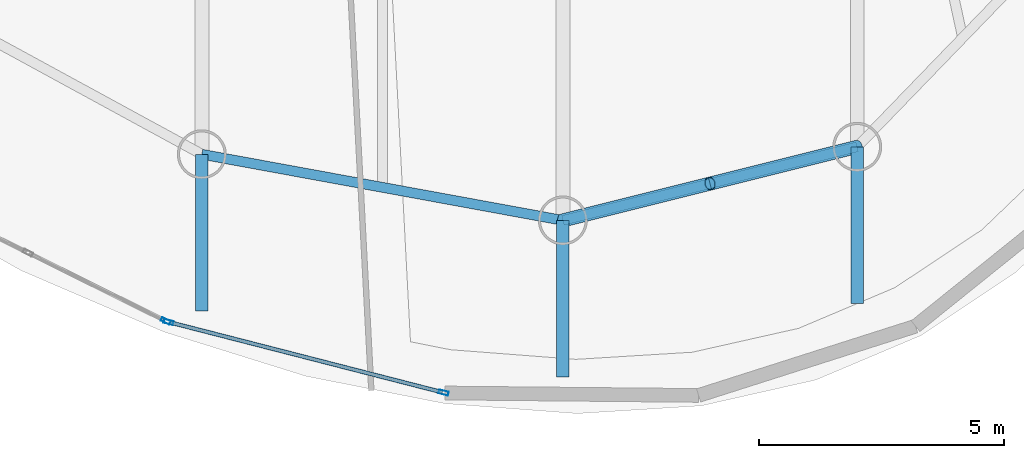
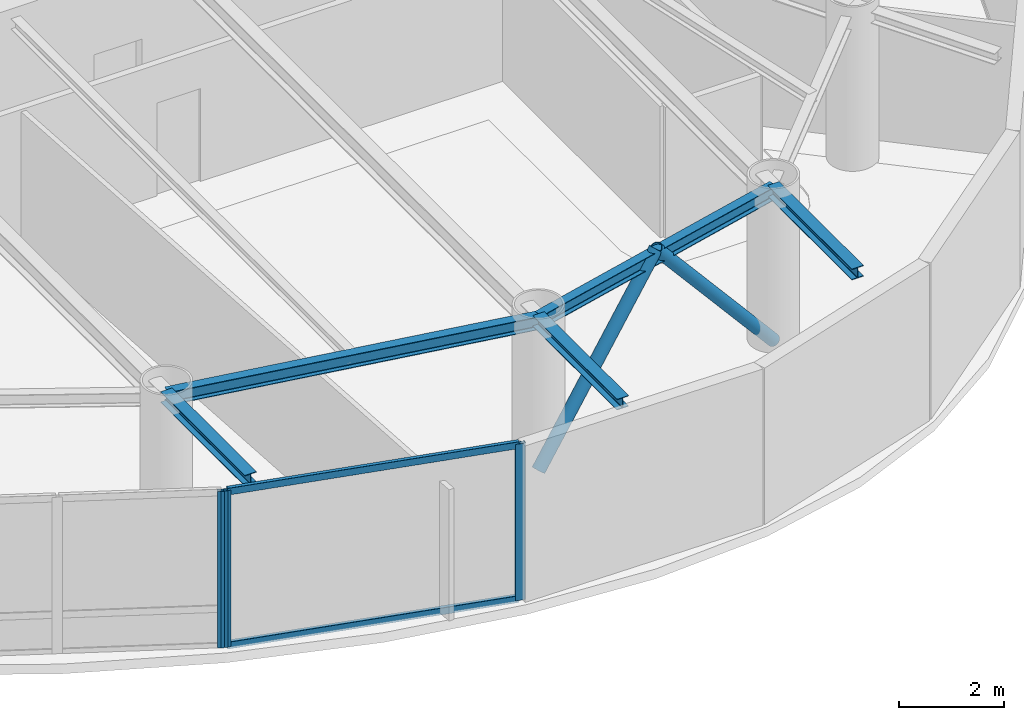
# One storey, part 4 of 17: 7 members, 5 beams, 2 elements without a shape of their own.
"""IFC4 building model written with IfcOpenShell, lengths in metres."""

from ifc_helpers import new_model, si_unit, direction, frame, origin, origin_2d, place, context, subcontext, project, spatial, hollow_rectangle, hollow_circle, i_section, extrude, material, layer, layer_set, material_profile, profile_set, type_object, element, aggregate, save


model = new_model("IFC4")

# Units and contexts
model_context = context("Model", 3, precision=1e-05, world=origin(), true_north=direction((0.0, 1.0)))
body_context = subcontext(model_context, "Body", "Model", "MODEL_VIEW")
ifc_project = project(units=[si_unit("LENGTHUNIT", "METRE"), si_unit("AREAUNIT", "SQUARE_METRE"), si_unit("VOLUMEUNIT", "CUBIC_METRE"), si_unit("PLANEANGLEUNIT", "RADIAN"), si_unit("MASSUNIT", "GRAM", prefix="KILO")], contexts=[model_context])

# Site, building, storey
site_placement = place(None, origin())
site = spatial("IfcSite", under=ifc_project, at=site_placement, CompositionType="ELEMENT")
building_placement = place(site_placement, origin())
building = spatial("IfcBuilding", under=site, at=building_placement, Name="Bramvorn Convention Spire", CompositionType="ELEMENT")
storey_placement = place(building_placement, frame((0.0, 0.0, 280.550048828125)))
storey = spatial("IfcBuildingStorey", under=building, at=storey_placement, Name="L71", CompositionType="ELEMENT", Elevation=280.550048828125)

# Beams
ifc_material_1 = material(Name="Steel CSA G40.21 Grade 350 (350W)", Category="steel")
ifc_material_profile_1 = material_profile(ifc_material_1, i_section(OverallWidth=0.25390625, OverallDepth=0.2529296875, WebThickness=0.008544921875, FlangeThickness=0.01416015625, FilletRadius=0.011962890625, at=origin_2d()))
ifc_profile_set_1 = profile_set([ifc_material_profile_1], Name="Steel CSA G40.21 Grade 350 (350W) - W250X73")
beam_type_1 = type_object("IfcBeamType", Name="BM-W250X73", PredefinedType="BEAM", material=ifc_profile_set_1)
beam_1_placement = place(storey_placement, frame((49.199951171875, 6.60107421875, 3.49853515625), z_axis=(0.0, -1.0, 0.0), x_axis=(1.0, 0.0, 0.0)))
element("IfcBeam", 1, at=beam_1_placement, inside=storey, type_object=beam_type_1, Name="L71 slab-edge cantilever tip beam MC01", PredefinedType="BEAM", context=body_context, shape_type="SweptSolid", body=[
    extrude(i_section(OverallWidth=0.25390625, OverallDepth=0.2529296875, WebThickness=0.008544921875, FlangeThickness=0.01416015625, FilletRadius=0.011962890625, at=origin_2d()), origin(), (0.0, 0.0, 1.0), 3.2001953125),
])
for number, where, z_axis, x_axis, name in (
    (2, (35.8154296875, 6.44921875, 3.49853515625), (0.0, -1.0, 0.0), (1.0, 0.0, 0.0), "L71 slab-edge cantilever tip beam MC15"),
    (3, (43.1884765625, 5.09912109375, 3.49853515625), (0.0, -1.0, 0.0), (1.0, 0.0, 0.0), "L71 slab-edge cantilever tip beam MC16"),
):
    element("IfcBeam", number, at=place(storey_placement, frame(where, z_axis=z_axis, x_axis=x_axis)), inside=storey, type_object=beam_type_1, Name=name, PredefinedType="BEAM", context=body_context, shape_type="SweptSolid", body=[
        extrude(i_section(OverallWidth=0.25390625, OverallDepth=0.2529296875, WebThickness=0.008544921875, FlangeThickness=0.01416015625, FilletRadius=0.011962890625, at=origin_2d()), origin(), (0.0, 0.0, 1.0), 3.199951171875),
    ])
ifc_material_profile_2 = material_profile(ifc_material_1, i_section(OverallWidth=0.202880859375, OverallDepth=0.302978515625, WebThickness=0.007568359375, FlangeThickness=0.01318359375, FilletRadius=0.013916015625, at=origin_2d()))
ifc_profile_set_2 = profile_set([ifc_material_profile_2], Name="Steel CSA G40.21 Grade 350 (350W) - W310X60")
beam_type_2 = type_object("IfcBeamType", Name="BM-W310X60", PredefinedType="JOIST", material=ifc_profile_set_2)
beam_2_placement = place(storey_placement, frame((35.8154296875, 6.44921875, 3.473388671875), z_axis=(0.983645049461, -0.180117785547, 0.0), x_axis=(0.180117785547, 0.983645049461, 0.0)))
element("IfcBeam", 4, at=beam_2_placement, inside=storey, type_object=beam_type_2, Name="L71 mega-column ring beam 15", PredefinedType="JOIST", context=body_context, shape_type="SweptSolid", body=[
    extrude(i_section(OverallWidth=0.202880859375, OverallDepth=0.302978515625, WebThickness=0.007568359375, FlangeThickness=0.01318359375, FilletRadius=0.013916015625, at=origin_2d()), origin(), (0.0, 0.0, 1.0), 7.49560546875),
])
beam_3_placement = place(storey_placement, frame((43.1884765625, 5.09912109375, 3.473388671875), z_axis=(0.970177255997, 0.24239655927, 0.0), x_axis=(-0.24239655927, 0.970177255997, 0.0)))
element("IfcBeam", 5, at=beam_3_placement, inside=storey, type_object=beam_type_2, Name="L71 mega-column ring beam 16", PredefinedType="JOIST", context=body_context, shape_type="SweptSolid", body=[
    extrude(i_section(OverallWidth=0.202880859375, OverallDepth=0.302978515625, WebThickness=0.007568359375, FlangeThickness=0.01318359375, FilletRadius=0.013916015625, at=origin_2d()), origin(), (0.0, 0.0, 1.0), 6.1962890625),
])

# Curtain wall, member
ifc_material_2 = material(Name="Anodised Bronze Unitised Curtain Wall", Category="aluminium")
ifc_layer = layer(ifc_material_2, 0.179931640625)
ifc_layer_set = layer_set([ifc_layer], Name="Anodised Bronze Unitised Curtain Wall - CW-OFF-FRIT")
curtain_wall_type = type_object("IfcCurtainWallType", Name="CW-OFF-FRIT", PredefinedType="USERDEFINED", material=ifc_layer_set)
curtain_wall_1_placement = place(storey_placement, origin())
curtain_wall_1 = element("IfcCurtainWall", 6, at=curtain_wall_1_placement, inside=storey, type_object=curtain_wall_type, Name="L71 fritted glass curtain wall 21", ObjectType="UNITISED CURTAIN WALL", PredefinedType="USERDEFINED")
ifc_material_3 = material(Name="Anodised Bronze Aluminium 6063-T6", Category="aluminium")
ifc_material_profile_3 = material_profile(ifc_material_3, hollow_rectangle(XDim=0.080078125, YDim=0.199951171875, WallThickness=0.00390625, InnerFilletRadius=0.0009765625, OuterFilletRadius=0.00390625, at=origin_2d()))
ifc_profile_set_3 = profile_set([ifc_material_profile_3], Name="Anodised Bronze Aluminium 6063-T6 - CWM80X200")
member_type_1 = type_object("IfcMemberType", Name="CW-MUL-180", PredefinedType="MULLION", material=ifc_profile_set_3)
member_1_placement = place(storey_placement, frame((35.0791015625, 3.044189453125, 0.0), z_axis=(0.0, 0.0, 1.0), x_axis=(-0.444191459108, -0.895931887844, 0.0)))
member_1 = element("IfcMember", 7, at=member_1_placement, type_object=member_type_1, Name="CW3 mullion 1", PredefinedType="MULLION", context=body_context, shape_type="SweptSolid", body=[
    extrude(hollow_rectangle(XDim=0.080078125, YDim=0.199951171875, WallThickness=0.00390625, InnerFilletRadius=0.0009765625, OuterFilletRadius=0.00390625, at=origin_2d()), origin(), (0.0, 0.0, 1.0), 3.625),
])
aggregate(curtain_wall_1, [member_1])

# Curtain wall, members
curtain_wall_2_placement = place(storey_placement, origin())
curtain_wall_2 = element("IfcCurtainWall", 8, at=curtain_wall_2_placement, inside=storey, type_object=curtain_wall_type, Name="L71 fritted glass curtain wall 22", ObjectType="UNITISED CURTAIN WALL", PredefinedType="USERDEFINED")
member_2_placement = place(storey_placement, frame((40.753173828125, 1.58154296875, 0.0), z_axis=(0.0, 0.0, 1.0), x_axis=(-0.248581858326, -0.968610891799, 0.0)))
member_2 = element("IfcMember", 9, at=member_2_placement, type_object=member_type_1, Name="CW3 mullion 1", PredefinedType="MULLION", context=body_context, shape_type="SweptSolid", body=[
    extrude(hollow_rectangle(XDim=0.080078125, YDim=0.199951171875, WallThickness=0.00390625, InnerFilletRadius=0.0009765625, OuterFilletRadius=0.00390625, at=origin_2d()), origin(), (0.0, 0.0, 1.0), 3.625),
])
member_3_placement = place(storey_placement, frame((35.13525390625, 3.0234375, 0.0), z_axis=(0.0, 0.0, 1.0), x_axis=(-0.248581858326, -0.968610891799, 0.0)))
member_3 = element("IfcMember", 10, at=member_3_placement, type_object=member_type_1, Name="CW3 mullion 2", PredefinedType="MULLION", context=body_context, shape_type="SweptSolid", body=[
    extrude(hollow_rectangle(XDim=0.080078125, YDim=0.199951171875, WallThickness=0.00390625, InnerFilletRadius=0.0009765625, OuterFilletRadius=0.00390625, at=origin_2d()), origin(), (0.0, 0.0, 1.0), 3.625),
])
ifc_material_profile_4 = material_profile(ifc_material_3, hollow_rectangle(XDim=0.080078125, YDim=0.159912109375, WallThickness=0.00390625, InnerFilletRadius=0.0009765625, OuterFilletRadius=0.00390625, at=origin_2d()))
ifc_profile_set_4 = profile_set([ifc_material_profile_4], Name="Anodised Bronze Aluminium 6063-T6 - CWT80X160")
member_type_2 = type_object("IfcMemberType", Name="CW-TRN-150", PredefinedType="USERDEFINED", material=ifc_profile_set_4)
member_4_placement = place(storey_placement, frame((40.72412109375, 1.589111328125, 0.030029296875), z_axis=(-0.968615042729, 0.248565683472, 0.0), x_axis=(-0.248565683472, -0.968615042729, 0.0)))
member_4 = element("IfcMember", 11, at=member_4_placement, type_object=member_type_2, Name="CW3 transom 1.1", ObjectType="TRANSOM", PredefinedType="USERDEFINED", context=body_context, shape_type="SweptSolid", body=[
    extrude(hollow_rectangle(XDim=0.080078125, YDim=0.159912109375, WallThickness=0.00390625, InnerFilletRadius=0.0009765625, OuterFilletRadius=0.00390625, at=origin_2d()), origin(), (0.0, 0.0, 1.0), 5.739990234375),
])
member_5_placement = place(storey_placement, frame((40.72412109375, 1.589111328125, 3.594970703125), z_axis=(-0.968615042729, 0.248565683472, 0.0), x_axis=(-0.248565683472, -0.968615042729, 0.0)))
member_5 = element("IfcMember", 12, at=member_5_placement, type_object=member_type_2, Name="CW3 transom 1.2", ObjectType="TRANSOM", PredefinedType="USERDEFINED", context=body_context, shape_type="SweptSolid", body=[
    extrude(hollow_rectangle(XDim=0.080078125, YDim=0.159912109375, WallThickness=0.00390625, InnerFilletRadius=0.0009765625, OuterFilletRadius=0.00390625, at=origin_2d()), origin(), (0.0, 0.0, 1.0), 5.739990234375),
])
aggregate(curtain_wall_2, [member_2, member_3, member_4, member_5])

# Members
ifc_material_profile_5 = material_profile(ifc_material_1, hollow_circle(Radius=0.136474609375, WallThickness=0.0126953125, at=origin_2d()))
ifc_profile_set_5 = profile_set([ifc_material_profile_5], Name="Steel CSA G40.21 Grade 350 (350W) - CHS273X13")
member_type_3 = type_object("IfcMemberType", Name="MBR-CHS273X13", PredefinedType="BRACE", material=ifc_profile_set_5)
for number, where, z_axis, x_axis, name in (
    (13, (43.1884765625, 5.09912109375, 0.0), (0.630340941886, 0.157482840906, 0.760177250253), (-0.242387293712, 0.970179570929, 0.0), "L71 perimeter Gothic lancet brace 16A"),
    (14, (49.199951171875, 6.60107421875, 0.0), (-0.630310085311, -0.157487923192, 0.76020178269), (0.242405825514, -0.9701749408, 0.0), "L71 perimeter Gothic lancet brace 16B"),
):
    element("IfcMember", number, at=place(storey_placement, frame(where, z_axis=z_axis, x_axis=x_axis)), inside=storey, type_object=member_type_3, Name=name, PredefinedType="BRACE", context=body_context, shape_type="SweptSolid", body=[
        extrude(hollow_circle(Radius=0.136474609375, WallThickness=0.0126953125, at=origin_2d()), origin(), (0.0, 0.0, 1.0), 4.7685546875),
    ])

save(model, "model.ifc")
